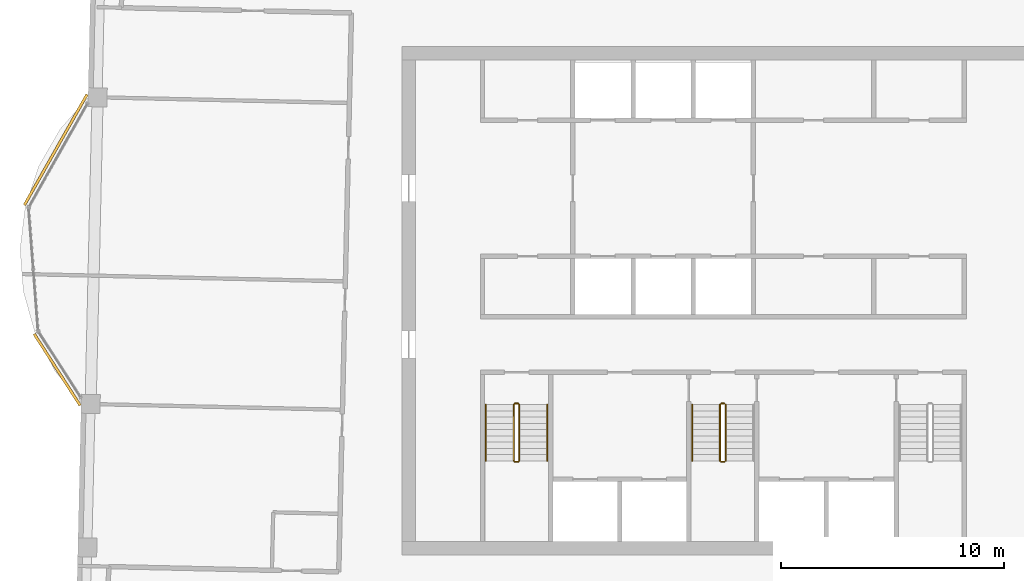
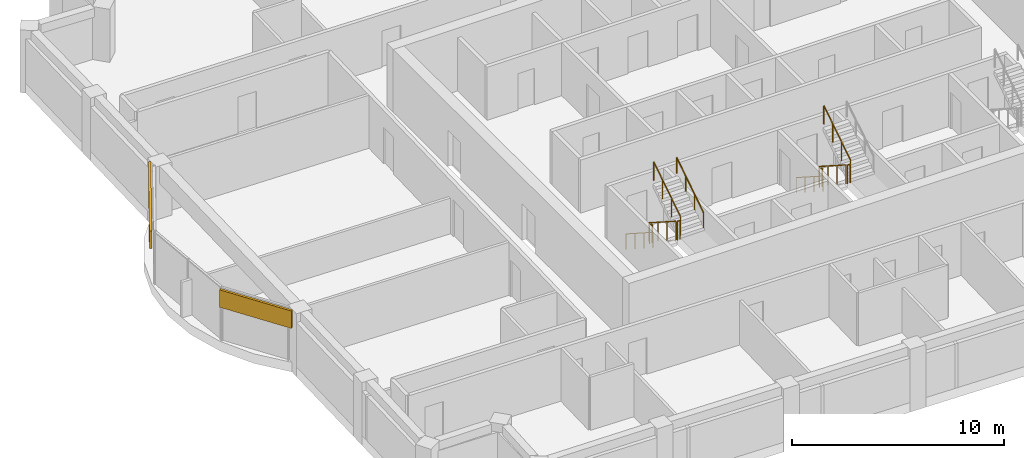
# One storey, part 10 of 11: 11 railings, 2 coverings.
"""IFC4 building model written with IfcOpenShell, lengths in metres."""

from ifc_helpers import new_model, si_unit, direction, frame, frame_2d, origin, origin_2d, place, context, subcontext, project, spatial, rectangle, circle, extrude, material, layer, layer_set, type_object, element, save


model = new_model("IFC4")

# Units and contexts
model_context = context("Model", 3, precision=1e-05, world=origin(), true_north=direction((0.0, 1.0)))
body_context = subcontext(model_context, "Body", "Model", "MODEL_VIEW")
ifc_project = project(units=[si_unit("LENGTHUNIT", "METRE"), si_unit("AREAUNIT", "SQUARE_METRE"), si_unit("VOLUMEUNIT", "CUBIC_METRE"), si_unit("PLANEANGLEUNIT", "RADIAN"), si_unit("MASSUNIT", "GRAM", prefix="KILO")], contexts=[model_context])

# Site, building, storey
site_placement = place(None, origin())
site = spatial("IfcSite", under=ifc_project, at=site_placement, CompositionType="ELEMENT")
building_placement = place(site_placement, origin())
building = spatial("IfcBuilding", under=site, at=building_placement, Name="Mangrove Gate Tower", CompositionType="ELEMENT")
storey_placement = place(building_placement, frame((0.0, 0.0, 334.300048828125)))
storey = spatial("IfcBuildingStorey", under=building, at=storey_placement, Name="L85", CompositionType="ELEMENT", Elevation=334.300048828125)

# Railings
ifc_material_1 = material(Name="Stainless steel 316", Category="steel")
railing_type_1 = type_object("IfcRailingType", Name="Core stair guard 1100", PredefinedType="GUARDRAIL", material=ifc_material_1)
railing_1_placement = place(storey_placement, frame((-9.39990234375, -4.64990234375, 0.179931640625)))
element("IfcRailing", 1, at=railing_1_placement, inside=storey, type_object=railing_type_1, Name="L85 ST1 stair guard 1", PredefinedType="GUARDRAIL", context=body_context, shape_type="SweptSolid", body=[
    extrude(rectangle(XDim=0.048095703125, YDim=0.048095703125, at=origin_2d()), frame((0.0, 0.0, 1.076171875), z_axis=(0.0, -0.841162588446, 0.540782303519), x_axis=(1.0, 0.0, 0.0)), (0.0, 0.0, 1.0), 2.995849609375),
    extrude(rectangle(XDim=0.0419921875, YDim=0.0419921875, at=origin_2d()), origin(), (0.0, 0.0, 1.0), 1.052001953125),
    extrude(rectangle(XDim=0.0419921875, YDim=0.0419921875, at=origin_2d()), frame((0.0, -0.840087890625, 0.5400390625)), (0.0, 0.0, 1.0), 1.052001953125),
    extrude(rectangle(XDim=0.0419921875, YDim=0.0419921875, at=origin_2d()), frame((0.0, -1.679931640625, 1.080078125)), (0.0, 0.0, 1.0), 1.052001953125),
    extrude(rectangle(XDim=0.0419921875, YDim=0.0419921875, at=origin_2d()), frame((0.0, -2.52001953125, 1.6201171875)), (0.0, 0.0, 1.0), 1.052001953125),
])
railing_2_placement = place(storey_placement, frame((-9.35009765625, -7.219970703125, 1.800048828125)))
element("IfcRailing", 2, at=railing_2_placement, inside=storey, type_object=railing_type_1, Name="L85 ST1 stair guard 2", PredefinedType="GUARDRAIL", context=body_context, shape_type="SweptSolid", body=[
    extrude(rectangle(XDim=0.048095703125, YDim=0.048095703125, at=origin_2d()), frame((0.0, 0.0, 1.076171875), z_axis=(1.0, 0.0, 0.0), x_axis=(0.0, 1.0, 0.0)), (0.0, 0.0, 1.0), 0.150146484375),
    extrude(rectangle(XDim=0.0419921875, YDim=0.0419921875, at=origin_2d()), origin(), (0.0, 0.0, 1.0), 1.052001953125),
    extrude(rectangle(XDim=0.0419921875, YDim=0.0419921875, at=origin_2d()), frame((0.150146484375, 0.0, 0.0)), (0.0, 0.0, 1.0), 1.052001953125),
])
railing_3_placement = place(storey_placement, frame((-9.14990234375, -7.169921875, 1.97998046875)))
element("IfcRailing", 3, at=railing_3_placement, inside=storey, type_object=railing_type_1, Name="L85 ST1 stair guard 3", PredefinedType="GUARDRAIL", context=body_context, shape_type="SweptSolid", body=[
    extrude(rectangle(XDim=0.048095703125, YDim=0.048095703125, at=origin_2d()), frame((0.0, 0.0, 1.076171875), z_axis=(0.0, 0.841199657755, 0.540724639528), x_axis=(-1.0, 0.0, 0.0)), (0.0, 0.0, 1.0), 2.995849609375),
    extrude(rectangle(XDim=0.0419921875, YDim=0.0419921875, at=origin_2d()), origin(), (0.0, 0.0, 1.0), 1.052001953125),
    extrude(rectangle(XDim=0.0419921875, YDim=0.0419921875, at=origin_2d()), frame((0.0, 0.840087890625, 0.5400390625)), (0.0, 0.0, 1.0), 1.052001953125),
    extrude(rectangle(XDim=0.0419921875, YDim=0.0419921875, at=origin_2d()), frame((0.0, 1.679931640625, 1.079833984375)), (0.0, 0.0, 1.0), 1.052001953125),
    extrude(rectangle(XDim=0.0419921875, YDim=0.0419921875, at=origin_2d()), frame((0.0, 2.52001953125, 1.619873046875)), (0.0, 0.0, 1.0), 1.052001953125),
])
railing_4_placement = place(storey_placement, frame((-9.35009765625, -4.60009765625, 0.0)))
element("IfcRailing", 4, at=railing_4_placement, inside=storey, type_object=railing_type_1, Name="L85 ST1 stair guard 4", PredefinedType="GUARDRAIL", context=body_context, shape_type="SweptSolid", body=[
    extrude(rectangle(XDim=0.048095703125, YDim=0.048095703125, at=origin_2d()), frame((0.0, 0.0, 1.076171875), z_axis=(1.0, 0.0, 0.0), x_axis=(0.0, 1.0, 0.0)), (0.0, 0.0, 1.0), 0.150146484375),
    extrude(rectangle(XDim=0.0419921875, YDim=0.0419921875, at=origin_2d()), origin(), (0.0, 0.0, 1.0), 1.052001953125),
    extrude(rectangle(XDim=0.0419921875, YDim=0.0419921875, at=origin_2d()), frame((0.150146484375, 0.0, 0.0)), (0.0, 0.0, 1.0), 1.052001953125),
])
railing_5_placement = place(storey_placement, frame((-0.14990234375, -4.64990234375, 0.179931640625)))
element("IfcRailing", 5, at=railing_5_placement, inside=storey, type_object=railing_type_1, Name="L85 ST2 stair guard 1", PredefinedType="GUARDRAIL", context=body_context, shape_type="SweptSolid", body=[
    extrude(rectangle(XDim=0.048095703125, YDim=0.048095703125, at=origin_2d()), frame((0.0, 0.0, 1.076171875), z_axis=(0.0, -0.841162588446, 0.540782303519), x_axis=(1.0, 0.0, 0.0)), (0.0, 0.0, 1.0), 2.995849609375),
    extrude(rectangle(XDim=0.0419921875, YDim=0.0419921875, at=origin_2d()), origin(), (0.0, 0.0, 1.0), 1.052001953125),
    extrude(rectangle(XDim=0.0419921875, YDim=0.0419921875, at=origin_2d()), frame((0.0, -0.840087890625, 0.5400390625)), (0.0, 0.0, 1.0), 1.052001953125),
    extrude(rectangle(XDim=0.0419921875, YDim=0.0419921875, at=origin_2d()), frame((0.0, -1.679931640625, 1.080078125)), (0.0, 0.0, 1.0), 1.052001953125),
    extrude(rectangle(XDim=0.0419921875, YDim=0.0419921875, at=origin_2d()), frame((0.0, -2.52001953125, 1.6201171875)), (0.0, 0.0, 1.0), 1.052001953125),
])
railing_6_placement = place(storey_placement, frame((-0.10009765625, -7.219970703125, 1.800048828125)))
element("IfcRailing", 6, at=railing_6_placement, inside=storey, type_object=railing_type_1, Name="L85 ST2 stair guard 2", PredefinedType="GUARDRAIL", context=body_context, shape_type="SweptSolid", body=[
    extrude(rectangle(XDim=0.048095703125, YDim=0.048095703125, at=origin_2d()), frame((0.0, 0.0, 1.076171875), z_axis=(1.0, 0.0, 0.0), x_axis=(0.0, 1.0, 0.0)), (0.0, 0.0, 1.0), 0.150146484375),
    extrude(rectangle(XDim=0.0419921875, YDim=0.0419921875, at=origin_2d()), origin(), (0.0, 0.0, 1.0), 1.052001953125),
    extrude(rectangle(XDim=0.0419921875, YDim=0.0419921875, at=origin_2d()), frame((0.150146484375, 0.0, 0.0)), (0.0, 0.0, 1.0), 1.052001953125),
])
railing_7_placement = place(storey_placement, frame((0.10009765625, -7.169921875, 1.97998046875)))
element("IfcRailing", 7, at=railing_7_placement, inside=storey, type_object=railing_type_1, Name="L85 ST2 stair guard 3", PredefinedType="GUARDRAIL", context=body_context, shape_type="SweptSolid", body=[
    extrude(rectangle(XDim=0.048095703125, YDim=0.048095703125, at=origin_2d()), frame((0.0, 0.0, 1.076171875), z_axis=(0.0, 0.841199657755, 0.540724639528), x_axis=(-1.0, 0.0, 0.0)), (0.0, 0.0, 1.0), 2.995849609375),
    extrude(rectangle(XDim=0.0419921875, YDim=0.0419921875, at=origin_2d()), origin(), (0.0, 0.0, 1.0), 1.052001953125),
    extrude(rectangle(XDim=0.0419921875, YDim=0.0419921875, at=origin_2d()), frame((0.0, 0.840087890625, 0.5400390625)), (0.0, 0.0, 1.0), 1.052001953125),
    extrude(rectangle(XDim=0.0419921875, YDim=0.0419921875, at=origin_2d()), frame((0.0, 1.679931640625, 1.079833984375)), (0.0, 0.0, 1.0), 1.052001953125),
    extrude(rectangle(XDim=0.0419921875, YDim=0.0419921875, at=origin_2d()), frame((0.0, 2.52001953125, 1.619873046875)), (0.0, 0.0, 1.0), 1.052001953125),
])
railing_8_placement = place(storey_placement, frame((-0.10009765625, -4.60009765625, 0.0)))
element("IfcRailing", 8, at=railing_8_placement, inside=storey, type_object=railing_type_1, Name="L85 ST2 stair guard 4", PredefinedType="GUARDRAIL", context=body_context, shape_type="SweptSolid", body=[
    extrude(rectangle(XDim=0.048095703125, YDim=0.048095703125, at=origin_2d()), frame((0.0, 0.0, 1.076171875), z_axis=(1.0, 0.0, 0.0), x_axis=(0.0, 1.0, 0.0)), (0.0, 0.0, 1.0), 0.150146484375),
    extrude(rectangle(XDim=0.0419921875, YDim=0.0419921875, at=origin_2d()), origin(), (0.0, 0.0, 1.0), 1.052001953125),
    extrude(rectangle(XDim=0.0419921875, YDim=0.0419921875, at=origin_2d()), frame((0.150146484375, 0.0, 0.0)), (0.0, 0.0, 1.0), 1.052001953125),
])
ifc_material_2 = material(Name="Stainless steel 316", Category="steel")
railing_type_2 = type_object("IfcRailingType", Name="Core stair handrail 900", PredefinedType="HANDRAIL", material=ifc_material_2)
railing_9_placement = place(storey_placement, frame((-10.64990234375, -4.64990234375, 0.179931640625)))
element("IfcRailing", 9, at=railing_9_placement, inside=storey, type_object=railing_type_2, Name="L85 ST1 stair handrail 1", PredefinedType="HANDRAIL", context=body_context, shape_type="SweptSolid", body=[
    extrude(circle(Radius=0.02392578125, at=origin_2d()), frame((0.0, 0.0, 0.8759765625), z_axis=(0.0, -0.841162588446, 0.540782303519), x_axis=(1.0, 0.0, 0.0)), (0.0, 0.0, 1.0), 2.995849609375),
    extrude(circle(Radius=0.02099609375, at=origin_2d()), origin(), (0.0, 0.0, 1.0), 0.851806640625),
    extrude(circle(Radius=0.02099609375, at=origin_2d()), frame((0.0, -0.840087890625, 0.5400390625)), (0.0, 0.0, 1.0), 0.851806640625),
    extrude(circle(Radius=0.02099609375, at=origin_2d()), frame((0.0, -1.679931640625, 1.080078125)), (0.0, 0.0, 1.0), 0.851806640625),
    extrude(circle(Radius=0.02099609375, at=origin_2d()), frame((0.0, -2.52001953125, 1.6201171875)), (0.0, 0.0, 1.0), 0.851806640625),
])
railing_10_placement = place(storey_placement, frame((-7.89990234375, -7.169921875, 1.97998046875)))
element("IfcRailing", 10, at=railing_10_placement, inside=storey, type_object=railing_type_2, Name="L85 ST1 stair handrail 2", PredefinedType="HANDRAIL", context=body_context, shape_type="SweptSolid", body=[
    extrude(circle(Radius=0.02392578125, at=origin_2d()), frame((0.0, 0.0, 0.8759765625), z_axis=(0.0, 0.841199657755, 0.540724639528), x_axis=(-1.0, 0.0, 0.0)), (0.0, 0.0, 1.0), 2.995849609375),
    extrude(circle(Radius=0.02099609375, at=origin_2d()), origin(), (0.0, 0.0, 1.0), 0.851806640625),
    extrude(circle(Radius=0.02099609375, at=origin_2d()), frame((0.0, 0.840087890625, 0.5400390625)), (0.0, 0.0, 1.0), 0.851806640625),
    extrude(circle(Radius=0.02099609375, at=origin_2d()), frame((0.0, 1.679931640625, 1.079833984375)), (0.0, 0.0, 1.0), 0.851806640625),
    extrude(circle(Radius=0.02099609375, at=origin_2d()), frame((0.0, 2.52001953125, 1.619873046875)), (0.0, 0.0, 1.0), 0.851806640625),
])
railing_11_placement = place(storey_placement, frame((-1.39990234375, -4.64990234375, 0.179931640625)))
element("IfcRailing", 11, at=railing_11_placement, inside=storey, type_object=railing_type_2, Name="L85 ST2 stair handrail 1", PredefinedType="HANDRAIL", context=body_context, shape_type="SweptSolid", body=[
    extrude(circle(Radius=0.02392578125, at=origin_2d()), frame((0.0, 0.0, 0.8759765625), z_axis=(0.0, -0.841162588446, 0.540782303519), x_axis=(1.0, 0.0, 0.0)), (0.0, 0.0, 1.0), 2.995849609375),
    extrude(circle(Radius=0.02099609375, at=origin_2d()), origin(), (0.0, 0.0, 1.0), 0.851806640625),
    extrude(circle(Radius=0.02099609375, at=origin_2d()), frame((0.0, -0.840087890625, 0.5400390625)), (0.0, 0.0, 1.0), 0.851806640625),
    extrude(circle(Radius=0.02099609375, at=origin_2d()), frame((0.0, -1.679931640625, 1.080078125)), (0.0, 0.0, 1.0), 0.851806640625),
    extrude(circle(Radius=0.02099609375, at=origin_2d()), frame((0.0, -2.52001953125, 1.6201171875)), (0.0, 0.0, 1.0), 0.851806640625),
])

# Coverings
ifc_material_3 = material(Name="Limestone", Category="masonry")
ifc_layer_1 = layer(ifc_material_3, 0.0400390625, Name="Limestone cladding")
ifc_material_4 = material(Name="Stainless steel anchors and cavity", Category="steel")
ifc_layer_2 = layer(ifc_material_4, 0.080078125, Name="Fixing cavity")
ifc_layer_set = layer_set([ifc_layer_1, ifc_layer_2], Name="Joint fascia cladding 120")
covering_type = type_object("IfcCoveringType", Name="Joint fascia cladding 120", PredefinedType="CLADDING", material=ifc_layer_set)
covering_1_placement = place(storey_placement, frame((-28.53466796875, 9.261474609375, 2.050048828125), z_axis=(0.0, 0.0, 1.0), x_axis=(-0.492580480627, -0.870266895903, 0.0)))
element("IfcCovering", 12, at=covering_1_placement, inside=storey, type_object=covering_type, Name="STONE FASCIA L85 W9.L1", PredefinedType="CLADDING", context=body_context, shape_type="SweptSolid", body=[
    extrude(rectangle(XDim=5.703369140625, YDim=0.1201171875, at=frame_2d((2.8515625, 0.0))), origin(), (0.0, 0.0, 1.0), 1.0),
])
covering_2_placement = place(storey_placement, frame((-30.908935546875, -1.47607421875, 2.050048828125), z_axis=(0.0, 0.0, 1.0), x_axis=(0.540602448732, -0.841278189676, 0.0)))
element("IfcCovering", 13, at=covering_2_placement, inside=storey, type_object=covering_type, Name="STONE FASCIA L85 W9.L2", PredefinedType="CLADDING", context=body_context, shape_type="SweptSolid", body=[
    extrude(rectangle(XDim=3.81787109375, YDim=0.1201171875, at=frame_2d((1.908935546875, 0.0))), origin(), (0.0, 0.0, 1.0), 1.0),
])

save(model, "model.ifc")
